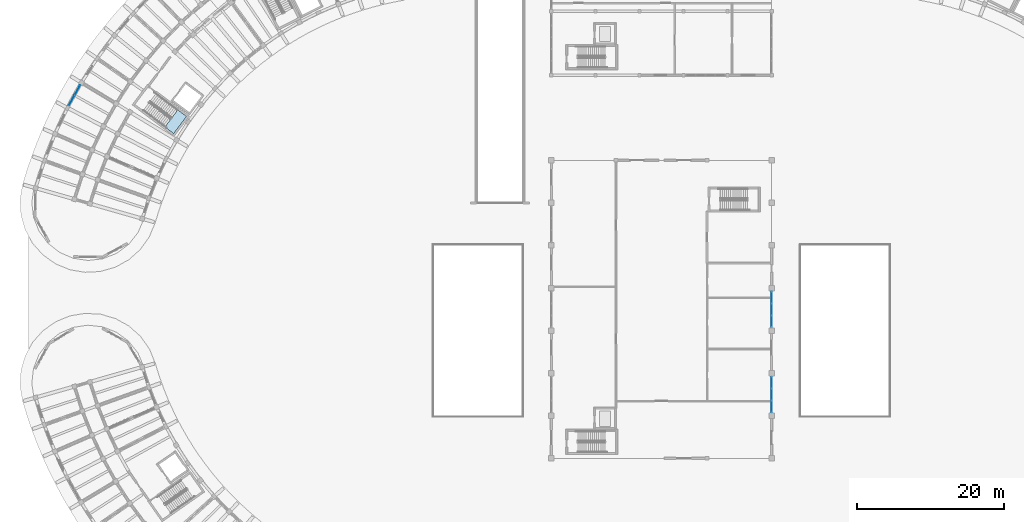
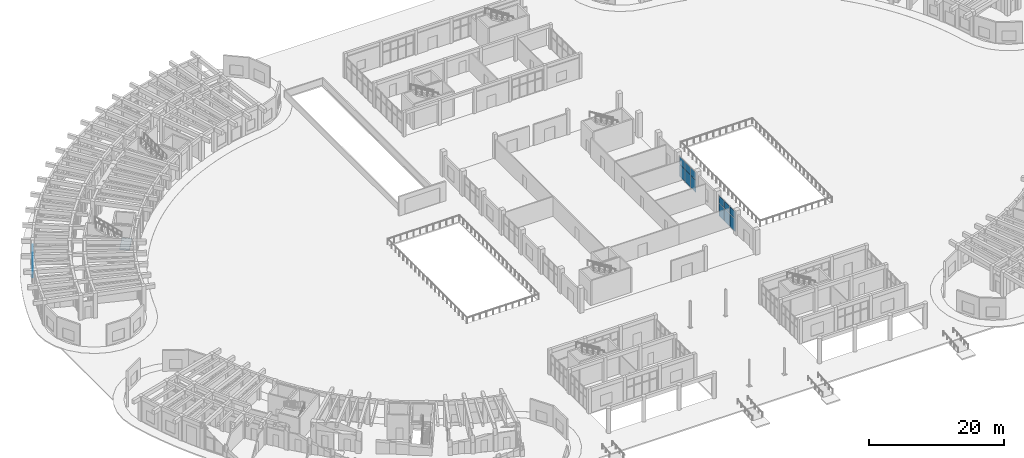
# One storey, part 75 of 132: 16 plates, 1 slab, 4 elements without a shape of their own.
"""IFC4 building model written with IfcOpenShell, lengths in metres."""

from ifc_helpers import new_model, si_unit, direction, frame, origin, origin_2d, place, context, subcontext, project, spatial, polyline, rectangle, outline, extrude, material, layer, layer_set, type_object, element, aggregate, save


model = new_model("IFC4")

# Units and contexts
model_context = context("Model", 3, precision=1e-05, world=origin(), true_north=direction((0.0, 1.0)))
body_context = subcontext(model_context, "Body", "Model", "MODEL_VIEW")
ifc_project = project(units=[si_unit("LENGTHUNIT", "METRE"), si_unit("AREAUNIT", "SQUARE_METRE"), si_unit("VOLUMEUNIT", "CUBIC_METRE"), si_unit("PLANEANGLEUNIT", "RADIAN"), si_unit("MASSUNIT", "GRAM", prefix="KILO")], contexts=[model_context])

# Site, building, storey
site_placement = place(None, origin())
site = spatial("IfcSite", under=ifc_project, at=site_placement, CompositionType="ELEMENT")
building_placement = place(site_placement, origin())
building = spatial("IfcBuilding", under=site, at=building_placement, Name="Tanwirah Colonnade Gardens", CompositionType="ELEMENT")
storey_placement = place(building_placement, origin())
storey = spatial("IfcBuildingStorey", under=building, at=storey_placement, Name="L00", CompositionType="ELEMENT", Elevation=0.0)

# Curtain wall, plates
ifc_material_1 = material(Name="Bronze-anodised aluminium and solar-control low-E glass", Category="aluminium")
curtain_wall_type_1 = type_object("IfcCurtainWallType", Name="CW-LOB", PredefinedType="NOTDEFINED", material=ifc_material_1)
curtain_wall_1_placement = place(storey_placement, origin())
curtain_wall_1 = element("IfcCurtainWall", 1, at=curtain_wall_1_placement, inside=storey, type_object=curtain_wall_type_1, Name="Curtain Wall CW-A-L00-OUT-14", PredefinedType="NOTDEFINED")
ifc_material_2 = material(Name="Solar-control low-E double glazing", Category="glass")
ifc_layer_1 = layer(ifc_material_2, 0.028076171875)
ifc_layer_set_1 = layer_set([ifc_layer_1], Name="Solar-control low-E double glazing")
plate_type_1 = type_object("IfcPlateType", Name="CWP-GLZ28", PredefinedType="CURTAIN_PANEL", material=ifc_layer_set_1)
plate_1_placement = place(storey_placement, frame((13.44091796875, 89.942626953125, 0.06005859375), z_axis=(0.0, 0.0, 1.0), x_axis=(-0.488198852899, -0.872732421781, 0.0)))
plate_1 = element("IfcPlate", 2, at=plate_1_placement, type_object=plate_type_1, Name="CW-LOB panel 1.1", PredefinedType="CURTAIN_PANEL", context=body_context, shape_type="SweptSolid", body=[
    extrude(rectangle(XDim=1.512939453125, YDim=0.028076171875, at=origin_2d()), origin(), (0.0, 0.0, 1.0), 2.238037109375),
])
plate_2_placement = place(storey_placement, frame((13.44091796875, 89.942626953125, 2.358154296875), z_axis=(0.0, 0.0, 1.0), x_axis=(-0.488198852899, -0.872732421781, 0.0)))
plate_2 = element("IfcPlate", 3, at=plate_2_placement, type_object=plate_type_1, Name="CW-LOB panel 1.2", PredefinedType="CURTAIN_PANEL", context=body_context, shape_type="SweptSolid", body=[
    extrude(rectangle(XDim=1.512939453125, YDim=0.028076171875, at=origin_2d()), origin(), (0.0, 0.0, 1.0), 1.3369140625),
])
plate_3_placement = place(storey_placement, frame((12.673095703125, 88.570068359375, 0.06005859375), z_axis=(0.0, 0.0, 1.0), x_axis=(-0.488198852899, -0.872732421781, 0.0)))
plate_3 = element("IfcPlate", 4, at=plate_3_placement, type_object=plate_type_1, Name="CW-LOB panel 2.1", PredefinedType="CURTAIN_PANEL", context=body_context, shape_type="SweptSolid", body=[
    extrude(rectangle(XDim=1.512939453125, YDim=0.028076171875, at=origin_2d()), origin(), (0.0, 0.0, 1.0), 2.238037109375),
])
plate_4_placement = place(storey_placement, frame((12.673095703125, 88.570068359375, 2.358154296875), z_axis=(0.0, 0.0, 1.0), x_axis=(-0.488198852899, -0.872732421781, 0.0)))
plate_4 = element("IfcPlate", 5, at=plate_4_placement, type_object=plate_type_1, Name="CW-LOB panel 2.2", PredefinedType="CURTAIN_PANEL", context=body_context, shape_type="SweptSolid", body=[
    extrude(rectangle(XDim=1.512939453125, YDim=0.028076171875, at=origin_2d()), origin(), (0.0, 0.0, 1.0), 1.3369140625),
])
aggregate(curtain_wall_1, [plate_1, plate_2, plate_3, plate_4])

curtain_wall_type_2 = type_object("IfcCurtainWallType", Name="CW-HALL", PredefinedType="NOTDEFINED", material=ifc_material_1)
curtain_wall_2_placement = place(storey_placement, origin())
curtain_wall_2 = element("IfcCurtainWall", 6, at=curtain_wall_2_placement, inside=storey, type_object=curtain_wall_type_2, Name="Curtain Wall CW-HALL-L00-E-2", PredefinedType="NOTDEFINED")
ifc_material_3 = material(Name="Insulated bronze aluminium spandrel panel", Category="aluminium")
ifc_layer_2 = layer(ifc_material_3, 0.035888671875)
ifc_layer_set_2 = layer_set([ifc_layer_2], Name="Insulated bronze aluminium spandrel panel")
plate_type_2 = type_object("IfcPlateType", Name="CWP-SPN36", PredefinedType="CURTAIN_PANEL", material=ifc_layer_set_2)
plate_5_placement = place(storey_placement, frame((108.0, 46.8828125, 0.06494140625), z_axis=(0.0, 0.0, 1.0), x_axis=(0.0, 1.0, 0.0)))
plate_5 = element("IfcPlate", 7, at=plate_5_placement, type_object=plate_type_2, Name="CW-HALL panel 1.1", PredefinedType="CURTAIN_PANEL", context=body_context, shape_type="SweptSolid", body=[
    extrude(rectangle(XDim=1.535888671875, YDim=0.035888671875, at=origin_2d()), origin(), (0.0, 0.0, 1.0), 2.2275390625),
])
plate_6_placement = place(storey_placement, frame((108.0, 46.8828125, 2.357421875), z_axis=(0.0, 0.0, 1.0), x_axis=(0.0, 1.0, 0.0)))
plate_6 = element("IfcPlate", 8, at=plate_6_placement, type_object=plate_type_2, Name="CW-HALL panel 1.2", PredefinedType="CURTAIN_PANEL", context=body_context, shape_type="SweptSolid", body=[
    extrude(rectangle(XDim=1.535888671875, YDim=0.035888671875, at=origin_2d()), origin(), (0.0, 0.0, 1.0), 1.327392578125),
])
plate_7_placement = place(storey_placement, frame((108.0, 48.5, 0.06494140625), z_axis=(0.0, 0.0, 1.0), x_axis=(0.0, 1.0, 0.0)))
plate_7 = element("IfcPlate", 9, at=plate_7_placement, type_object=plate_type_2, Name="CW-HALL panel 2.1", PredefinedType="CURTAIN_PANEL", context=body_context, shape_type="SweptSolid", body=[
    extrude(rectangle(XDim=1.568359375, YDim=0.035888671875, at=origin_2d()), origin(), (0.0, 0.0, 1.0), 2.2275390625),
])
plate_8_placement = place(storey_placement, frame((108.0, 48.5, 2.357421875), z_axis=(0.0, 0.0, 1.0), x_axis=(0.0, 1.0, 0.0)))
plate_8 = element("IfcPlate", 10, at=plate_8_placement, type_object=plate_type_2, Name="CW-HALL panel 2.2", PredefinedType="CURTAIN_PANEL", context=body_context, shape_type="SweptSolid", body=[
    extrude(rectangle(XDim=1.568359375, YDim=0.035888671875, at=origin_2d()), origin(), (0.0, 0.0, 1.0), 1.327392578125),
])
plate_9_placement = place(storey_placement, frame((108.0, 50.1171875, 0.06494140625), z_axis=(0.0, 0.0, 1.0), x_axis=(0.0, 1.0, 0.0)))
plate_9 = element("IfcPlate", 11, at=plate_9_placement, type_object=plate_type_2, Name="CW-HALL panel 3.1", PredefinedType="CURTAIN_PANEL", context=body_context, shape_type="SweptSolid", body=[
    extrude(rectangle(XDim=1.535888671875, YDim=0.035888671875, at=origin_2d()), origin(), (0.0, 0.0, 1.0), 2.2275390625),
])
plate_10_placement = place(storey_placement, frame((108.0, 50.1171875, 2.357421875), z_axis=(0.0, 0.0, 1.0), x_axis=(0.0, 1.0, 0.0)))
plate_10 = element("IfcPlate", 12, at=plate_10_placement, type_object=plate_type_2, Name="CW-HALL panel 3.2", PredefinedType="CURTAIN_PANEL", context=body_context, shape_type="SweptSolid", body=[
    extrude(rectangle(XDim=1.535888671875, YDim=0.035888671875, at=origin_2d()), origin(), (0.0, 0.0, 1.0), 1.327392578125),
])
aggregate(curtain_wall_2, [plate_5, plate_6, plate_7, plate_8, plate_9, plate_10])

curtain_wall_3_placement = place(storey_placement, origin())
curtain_wall_3 = element("IfcCurtainWall", 13, at=curtain_wall_3_placement, inside=storey, type_object=curtain_wall_type_2, Name="Curtain Wall CW-HALL-L00-E-4", PredefinedType="NOTDEFINED")
plate_11_placement = place(storey_placement, frame((108.0, 58.48291015625, 0.06494140625), z_axis=(0.0, 0.0, 1.0), x_axis=(0.0, 1.0, 0.0)))
plate_11 = element("IfcPlate", 14, at=plate_11_placement, type_object=plate_type_2, Name="CW-HALL panel 1.1", PredefinedType="CURTAIN_PANEL", context=body_context, shape_type="SweptSolid", body=[
    extrude(rectangle(XDim=1.535888671875, YDim=0.035888671875, at=origin_2d()), origin(), (0.0, 0.0, 1.0), 2.2275390625),
])
plate_12_placement = place(storey_placement, frame((108.0, 58.48291015625, 2.357421875), z_axis=(0.0, 0.0, 1.0), x_axis=(0.0, 1.0, 0.0)))
plate_12 = element("IfcPlate", 15, at=plate_12_placement, type_object=plate_type_2, Name="CW-HALL panel 1.2", PredefinedType="CURTAIN_PANEL", context=body_context, shape_type="SweptSolid", body=[
    extrude(rectangle(XDim=1.535888671875, YDim=0.035888671875, at=origin_2d()), origin(), (0.0, 0.0, 1.0), 1.327392578125),
])
plate_13_placement = place(storey_placement, frame((108.0, 60.10009765625, 0.06494140625), z_axis=(0.0, 0.0, 1.0), x_axis=(0.0, 1.0, 0.0)))
plate_13 = element("IfcPlate", 16, at=plate_13_placement, type_object=plate_type_2, Name="CW-HALL panel 2.1", PredefinedType="CURTAIN_PANEL", context=body_context, shape_type="SweptSolid", body=[
    extrude(rectangle(XDim=1.568359375, YDim=0.035888671875, at=origin_2d()), origin(), (0.0, 0.0, 1.0), 2.2275390625),
])
plate_14_placement = place(storey_placement, frame((108.0, 60.10009765625, 2.357421875), z_axis=(0.0, 0.0, 1.0), x_axis=(0.0, 1.0, 0.0)))
plate_14 = element("IfcPlate", 17, at=plate_14_placement, type_object=plate_type_2, Name="CW-HALL panel 2.2", PredefinedType="CURTAIN_PANEL", context=body_context, shape_type="SweptSolid", body=[
    extrude(rectangle(XDim=1.568359375, YDim=0.035888671875, at=origin_2d()), origin(), (0.0, 0.0, 1.0), 1.327392578125),
])
plate_15_placement = place(storey_placement, frame((108.0, 61.717041015625, 0.06494140625), z_axis=(0.0, 0.0, 1.0), x_axis=(0.0, 1.0, 0.0)))
plate_15 = element("IfcPlate", 18, at=plate_15_placement, type_object=plate_type_2, Name="CW-HALL panel 3.1", PredefinedType="CURTAIN_PANEL", context=body_context, shape_type="SweptSolid", body=[
    extrude(rectangle(XDim=1.535888671875, YDim=0.035888671875, at=origin_2d()), origin(), (0.0, 0.0, 1.0), 2.2275390625),
])
plate_16_placement = place(storey_placement, frame((108.0, 61.717041015625, 2.357421875), z_axis=(0.0, 0.0, 1.0), x_axis=(0.0, 1.0, 0.0)))
plate_16 = element("IfcPlate", 19, at=plate_16_placement, type_object=plate_type_2, Name="CW-HALL panel 3.2", PredefinedType="CURTAIN_PANEL", context=body_context, shape_type="SweptSolid", body=[
    extrude(rectangle(XDim=1.535888671875, YDim=0.035888671875, at=origin_2d()), origin(), (0.0, 0.0, 1.0), 1.327392578125),
])
aggregate(curtain_wall_3, [plate_11, plate_12, plate_13, plate_14, plate_15, plate_16])

# Stair, slab
ifc_material_4 = material(Name="Precast concrete C40/50", Category="concrete")
stair_type = type_object("IfcStairType", Name="ST-RES170", PredefinedType="HALF_TURN_STAIR", material=ifc_material_4)
stair_placement = place(storey_placement, origin())
stair = element("IfcStair", 20, at=stair_placement, inside=storey, type_object=stair_type, Name="L00 Block A Core 2 Exit Stair", PredefinedType="HALF_TURN_STAIR")
ifc_layer_3 = layer(ifc_material_4, 0.205078125)
ifc_layer_set_3 = layer_set([ifc_layer_3], Name="Precast concrete C40/50")
slab_type = type_object("IfcSlabType", Name="SL-LND-205", PredefinedType="LANDING", material=ifc_layer_set_3)
slab_placement = place(storey_placement, frame((0.0, 0.0, 2.175048828125)))
slab = element("IfcSlab", 21, at=slab_placement, type_object=slab_type, Name="ST-A2 landing 1", PredefinedType="LANDING", context=body_context, shape_type="SweptSolid", body=[
    extrude(outline(polyline([(25.360107421875, 84.93701171875), (26.553955078125, 84.037353515625), (28.311279296875, 86.369384765625), (27.117431640625, 87.26904296875), (25.360107421875, 84.93701171875)])), origin(), (0.0, 0.0, 1.0), 0.204833984375),
])
aggregate(stair, [slab])

save(model, "model.ifc")
